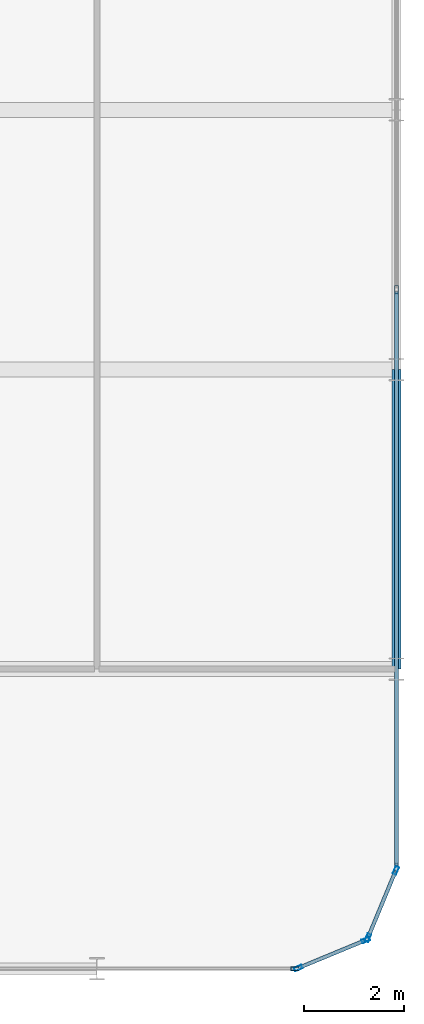
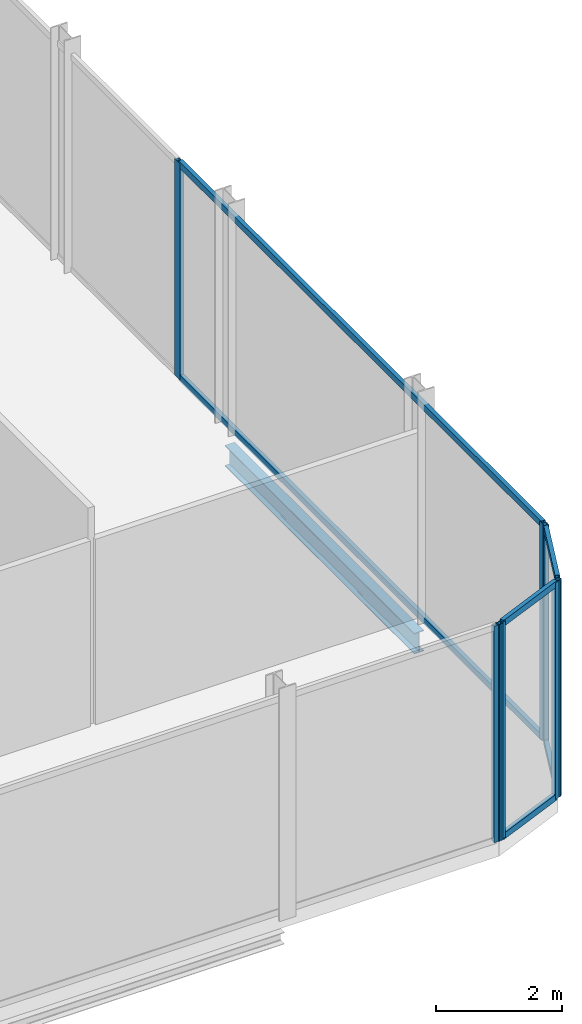
# One storey, part 14 of 31: 13 members, 1 beam, 4 elements without a shape of their own.
"""IFC4 building model written with IfcOpenShell, lengths in metres."""

from ifc_helpers import new_model, si_unit, direction, frame, origin, origin_2d, place, context, subcontext, project, spatial, hollow_rectangle, i_section, extrude, material, layer, layer_set, material_profile, profile_set, type_object, element, aggregate, save


model = new_model("IFC4")

# Units and contexts
model_context = context("Model", 3, precision=1e-05, world=origin(), true_north=direction((0.0, 1.0)))
body_context = subcontext(model_context, "Body", "Model", "MODEL_VIEW")
ifc_project = project(units=[si_unit("LENGTHUNIT", "METRE"), si_unit("AREAUNIT", "SQUARE_METRE"), si_unit("VOLUMEUNIT", "CUBIC_METRE"), si_unit("PLANEANGLEUNIT", "RADIAN"), si_unit("MASSUNIT", "GRAM", prefix="KILO")], contexts=[model_context])

# Site, building, storey
site_placement = place(None, origin())
site = spatial("IfcSite", under=ifc_project, at=site_placement, CompositionType="ELEMENT")
building_placement = place(site_placement, origin())
building = spatial("IfcBuilding", under=site, at=building_placement, Name="Keshet Zoharim Tower", CompositionType="ELEMENT")
storey_placement = place(building_placement, frame((0.0, 0.0, 183.89990234375)))
storey = spatial("IfcBuildingStorey", under=building, at=storey_placement, Name="L45", CompositionType="ELEMENT", Elevation=183.89990234375)

# Beam
ifc_material_1 = material(Name="Steel S355", Category="steel")
ifc_material_profile_1 = material_profile(ifc_material_1, i_section(OverallWidth=0.179931640625, OverallDepth=0.39990234375, WebThickness=0.008544921875, FlangeThickness=0.013427734375, FilletRadius=0.02099609375, at=origin_2d()), Name="IPE400")
ifc_profile_set_1 = profile_set([ifc_material_profile_1], Name="Steel S355")
beam_type = type_object("IfcBeamType", Name="BM-PRI-IP400", PredefinedType="BEAM", material=ifc_profile_set_1)
beam_placement = place(storey_placement, frame((57.0, 6.699951171875, -0.52001953125), z_axis=(0.0, 1.0, 0.0), x_axis=(-1.0, 0.0, 0.0)))
element("IfcBeam", 1, at=beam_placement, inside=storey, type_object=beam_type, Name="L45 Primary Girder Y-013", PredefinedType="BEAM", context=body_context, shape_type="SweptSolid", body=[
    extrude(i_section(OverallWidth=0.179931640625, OverallDepth=0.39990234375, WebThickness=0.008544921875, FlangeThickness=0.013427734375, FilletRadius=0.02099609375, at=origin_2d()), origin(), (0.0, 0.0, 1.0), 6.0),
])

# Curtain wall, members
ifc_material_2 = material(Name="Aluminium 6063-T6", Category="aluminium")
ifc_layer = layer(ifc_material_2, 0.139892578125)
ifc_layer_set = layer_set([ifc_layer], Name="Aluminium 6063-T6")
curtain_wall_type = type_object("IfcCurtainWallType", Name="CW-SYS-05", PredefinedType="NOTDEFINED", material=ifc_layer_set)
curtain_wall_1_placement = place(storey_placement, origin())
curtain_wall_1 = element("IfcCurtainWall", 2, at=curtain_wall_1_placement, inside=storey, type_object=curtain_wall_type, Name="L45 Unitised Curtain Wall 08", PredefinedType="NOTDEFINED")
ifc_material_profile_2 = material_profile(ifc_material_2, hollow_rectangle(XDim=0.074951171875, YDim=0.159912109375, WallThickness=0.00390625, at=origin_2d()), Name="MUL-75x160")
ifc_profile_set_2 = profile_set([ifc_material_profile_2], Name="Aluminium 6063-T6")
member_type_1 = type_object("IfcMemberType", Name="CWM-M15", PredefinedType="MULLION", material=ifc_profile_set_2)
member_1_placement = place(storey_placement, frame((57.0, 14.300048828125, 0.0), z_axis=(0.0, 0.0, 1.0), x_axis=(1.0, 0.0, 0.0)))
member_1 = element("IfcMember", 3, at=member_1_placement, type_object=member_type_1, Name="CW-05 mullion 2", PredefinedType="MULLION", context=body_context, shape_type="SweptSolid", body=[
    extrude(hollow_rectangle(XDim=0.074951171875, YDim=0.159912109375, WallThickness=0.00390625, at=origin_2d()), origin(), (0.0, 0.0, 1.0), 4.190185546875),
])
member_2_placement = place(storey_placement, frame((57.0, 2.735107421875, 0.0), z_axis=(0.0, 0.0, 1.0), x_axis=(1.0, 0.0, 0.0)))
member_2 = element("IfcMember", 4, at=member_2_placement, type_object=member_type_1, Name="CW-05 mullion 3", PredefinedType="MULLION", context=body_context, shape_type="SweptSolid", body=[
    extrude(hollow_rectangle(XDim=0.074951171875, YDim=0.159912109375, WallThickness=0.00390625, at=origin_2d()), origin(), (0.0, 0.0, 1.0), 4.190185546875),
])

curtain_wall_2_placement = place(storey_placement, origin())
curtain_wall_2 = element("IfcCurtainWall", 5, at=curtain_wall_2_placement, inside=storey, type_object=curtain_wall_type, Name="L45 Unitised Curtain Wall 09", PredefinedType="NOTDEFINED")
member_3_placement = place(storey_placement, frame((56.986572265625, 2.667724609375, 0.0), z_axis=(0.0, 0.0, 1.0), x_axis=(0.92380975372, -0.382851849847, 0.0)))
member_3 = element("IfcMember", 6, at=member_3_placement, type_object=member_type_1, Name="CW-05 mullion 1", PredefinedType="MULLION", context=body_context, shape_type="SweptSolid", body=[
    extrude(hollow_rectangle(XDim=0.074951171875, YDim=0.159912109375, WallThickness=0.00390625, at=origin_2d()), origin(), (0.0, 0.0, 1.0), 4.190185546875),
])
member_4_placement = place(storey_placement, frame((56.427490234375, 1.318359375, 0.0), z_axis=(0.0, 0.0, 1.0), x_axis=(0.92380975372, -0.382851849847, 0.0)))
member_4 = element("IfcMember", 7, at=member_4_placement, type_object=member_type_1, Name="CW-05 mullion 2", PredefinedType="MULLION", context=body_context, shape_type="SweptSolid", body=[
    extrude(hollow_rectangle(XDim=0.074951171875, YDim=0.159912109375, WallThickness=0.00390625, at=origin_2d()), origin(), (0.0, 0.0, 1.0), 4.190185546875),
])

curtain_wall_3_placement = place(storey_placement, origin())
curtain_wall_3 = element("IfcCurtainWall", 8, at=curtain_wall_3_placement, inside=storey, type_object=curtain_wall_type, Name="L45 Unitised Curtain Wall 10", PredefinedType="NOTDEFINED")
member_5_placement = place(storey_placement, frame((56.381591796875, 1.272705078125, 0.0), z_axis=(0.0, 0.0, 1.0), x_axis=(0.382851849847, -0.92380975372, 0.0)))
member_5 = element("IfcMember", 9, at=member_5_placement, type_object=member_type_1, Name="CW-05 mullion 1", PredefinedType="MULLION", context=body_context, shape_type="SweptSolid", body=[
    extrude(hollow_rectangle(XDim=0.074951171875, YDim=0.159912109375, WallThickness=0.00390625, at=origin_2d()), origin(), (0.0, 0.0, 1.0), 4.190185546875),
])
member_6_placement = place(storey_placement, frame((55.0322265625, 0.71337890625, 0.0), z_axis=(0.0, 0.0, 1.0), x_axis=(0.382851849847, -0.92380975372, 0.0)))
member_6 = element("IfcMember", 10, at=member_6_placement, type_object=member_type_1, Name="CW-05 mullion 2", PredefinedType="MULLION", context=body_context, shape_type="SweptSolid", body=[
    extrude(hollow_rectangle(XDim=0.074951171875, YDim=0.159912109375, WallThickness=0.00390625, at=origin_2d()), origin(), (0.0, 0.0, 1.0), 4.190185546875),
])

# Curtain wall, member
curtain_wall_4_placement = place(storey_placement, origin())
curtain_wall_4 = element("IfcCurtainWall", 11, at=curtain_wall_4_placement, inside=storey, type_object=curtain_wall_type, Name="L45 Unitised Curtain Wall 11", PredefinedType="NOTDEFINED")
member_7_placement = place(storey_placement, frame((54.965087890625, 0.699951171875, 0.0), z_axis=(0.0, 0.0, 1.0), x_axis=(0.0, -1.0, 0.0)))
member_7 = element("IfcMember", 12, at=member_7_placement, type_object=member_type_1, Name="CW-05 mullion 1", PredefinedType="MULLION", context=body_context, shape_type="SweptSolid", body=[
    extrude(hollow_rectangle(XDim=0.074951171875, YDim=0.159912109375, WallThickness=0.00390625, at=origin_2d()), origin(), (0.0, 0.0, 1.0), 4.190185546875),
])
aggregate(curtain_wall_4, [member_7])

# Member
ifc_material_profile_3 = material_profile(ifc_material_2, hollow_rectangle(XDim=0.074951171875, YDim=0.1201171875, WallThickness=0.00390625, at=origin_2d()), Name="TRN-75x120")
ifc_profile_set_3 = profile_set([ifc_material_profile_3], Name="Aluminium 6063-T6")
member_type_2 = type_object("IfcMemberType", Name="CWT-T12", PredefinedType="USERDEFINED", material=ifc_profile_set_3)
member_8_placement = place(storey_placement, frame((57.0, 14.264892578125, 0.03515625), z_axis=(0.0, -1.0, 0.0), x_axis=(1.0, 0.0, 0.0)))
member_8 = element("IfcMember", 13, at=member_8_placement, type_object=member_type_2, Name="CW-05 transom 2.1", ObjectType="TRANSOM", PredefinedType="USERDEFINED", context=body_context, shape_type="SweptSolid", body=[
    extrude(hollow_rectangle(XDim=0.074951171875, YDim=0.1201171875, WallThickness=0.00390625, at=origin_2d()), origin(), (0.0, 0.0, 1.0), 11.494873046875),
])

member_9_placement = place(storey_placement, frame((57.0, 14.264892578125, 4.155029296875), z_axis=(0.0, -1.0, 0.0), x_axis=(1.0, 0.0, 0.0)))
member_9 = element("IfcMember", 14, at=member_9_placement, type_object=member_type_2, Name="CW-05 transom 2.2", ObjectType="TRANSOM", PredefinedType="USERDEFINED", context=body_context, shape_type="SweptSolid", body=[
    extrude(hollow_rectangle(XDim=0.074951171875, YDim=0.1201171875, WallThickness=0.00390625, at=origin_2d()), origin(), (0.0, 0.0, 1.0), 11.494873046875),
])

aggregate(curtain_wall_1, [member_1, member_2, member_8, member_9])

member_10_placement = place(storey_placement, frame((56.97314453125, 2.63525390625, 0.03515625), z_axis=(-0.382744609247, -0.923854189844, 0.0), x_axis=(0.923854189844, -0.382744609247, 0.0)))
member_10 = element("IfcMember", 15, at=member_10_placement, type_object=member_type_2, Name="CW-05 transom 1.1", ObjectType="TRANSOM", PredefinedType="USERDEFINED", context=body_context, shape_type="SweptSolid", body=[
    extrude(hollow_rectangle(XDim=0.074951171875, YDim=0.1201171875, WallThickness=0.00390625, at=origin_2d()), origin(), (0.0, 0.0, 1.0), 1.390625),
])

member_11_placement = place(storey_placement, frame((56.97314453125, 2.63525390625, 4.155029296875), z_axis=(-0.382744609247, -0.923854189844, 0.0), x_axis=(0.923854189844, -0.382744609247, 0.0)))
member_11 = element("IfcMember", 16, at=member_11_placement, type_object=member_type_2, Name="CW-05 transom 1.2", ObjectType="TRANSOM", PredefinedType="USERDEFINED", context=body_context, shape_type="SweptSolid", body=[
    extrude(hollow_rectangle(XDim=0.074951171875, YDim=0.1201171875, WallThickness=0.00390625, at=origin_2d()), origin(), (0.0, 0.0, 1.0), 1.390625),
])

aggregate(curtain_wall_2, [member_3, member_4, member_10, member_11])

member_12_placement = place(storey_placement, frame((56.349365234375, 1.25927734375, 0.03515625), z_axis=(-0.92379209995, -0.382894445076, 0.0), x_axis=(0.382894445076, -0.92379209995, 0.0)))
member_12 = element("IfcMember", 17, at=member_12_placement, type_object=member_type_2, Name="CW-05 transom 1.1", ObjectType="TRANSOM", PredefinedType="USERDEFINED", context=body_context, shape_type="SweptSolid", body=[
    extrude(hollow_rectangle(XDim=0.074951171875, YDim=0.1201171875, WallThickness=0.00390625, at=origin_2d()), origin(), (0.0, 0.0, 1.0), 1.390625),
])

member_13_placement = place(storey_placement, frame((56.349365234375, 1.25927734375, 4.155029296875), z_axis=(-0.92379209995, -0.382894445076, 0.0), x_axis=(0.382894445076, -0.92379209995, 0.0)))
member_13 = element("IfcMember", 18, at=member_13_placement, type_object=member_type_2, Name="CW-05 transom 1.2", ObjectType="TRANSOM", PredefinedType="USERDEFINED", context=body_context, shape_type="SweptSolid", body=[
    extrude(hollow_rectangle(XDim=0.074951171875, YDim=0.1201171875, WallThickness=0.00390625, at=origin_2d()), origin(), (0.0, 0.0, 1.0), 1.390625),
])

aggregate(curtain_wall_3, [member_5, member_6, member_12, member_13])

save(model, "model.ifc")
